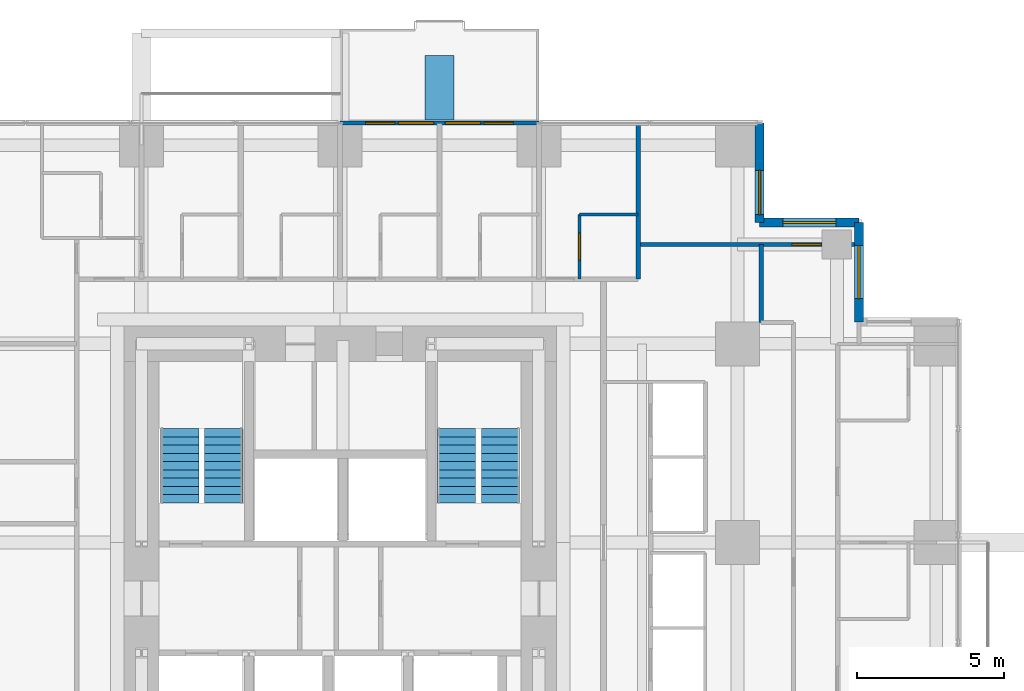
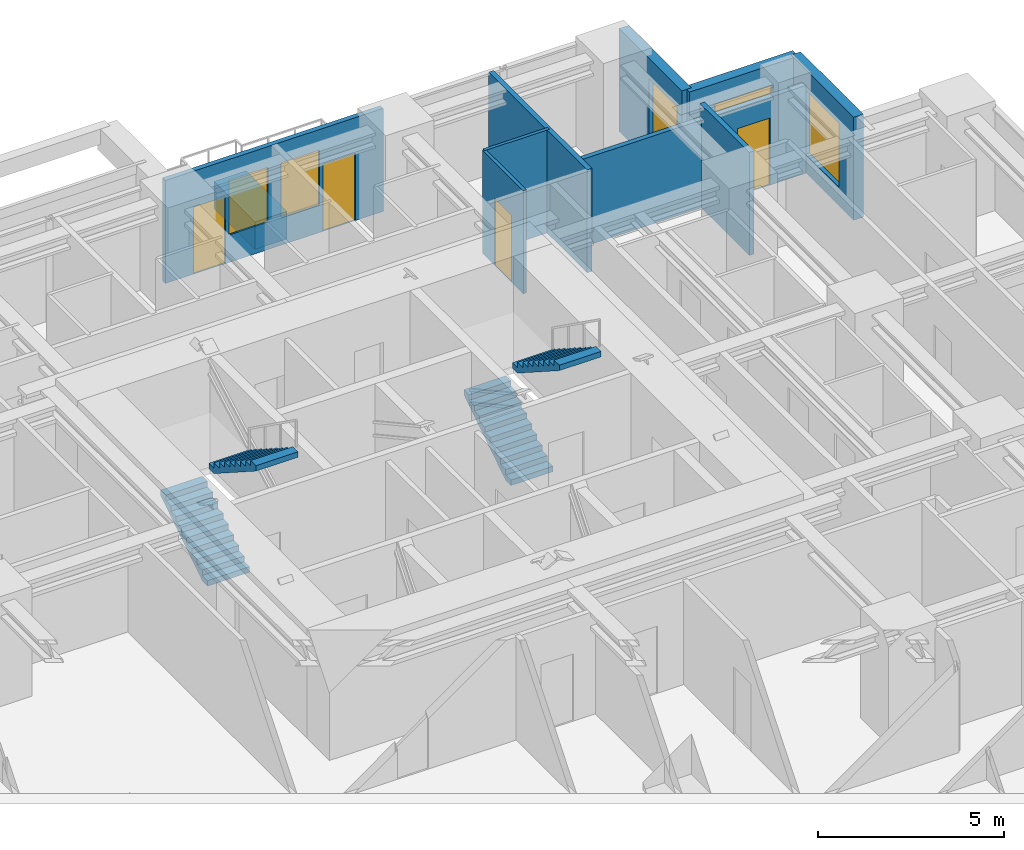
# One storey, part 11 of 12: 10 walls, 5 windows, 4 doors, 4 stair flights, 9 openings, 2 elements without a shape of their own.
"""IFC4 building model written with IfcOpenShell, lengths in metres."""

import ifcopenshell
import ifcopenshell.guid

model = None  # the IFC model being written
_history = None  # IfcOwnerHistory: only IFC2X3 demands one
_inside = {}  # id of a spatial element -> (the spatial element, [elements in it])
_under = {}  # id of a project, library or spatial element -> (it, [spatial elements below it])
_declared = {}  # id of a project -> (the project, [libraries it declares])
_typed = {}  # id of a type object -> (the type object, [elements of that type])
_made_of = {}  # id of a material, layer set ... -> (it, [elements and type objects made of it])


def new_model(schema):
    """Start an empty IFC model of exactly this schema.

    Asked for "IFC4X3", IfcOpenShell would pick the latest addendum, in which some entities
    have other attributes; the version numbers below select the first issue.
    IFC2X3 requires an IfcOwnerHistory on every rooted entity: one is made here for all.
    """
    global model, _history
    if schema == "IFC4X3":
        model = ifcopenshell.file(schema_version=(4, 3, 0, 0))
    else:
        model = ifcopenshell.file(schema=schema)
    _inside.clear()
    _under.clear()
    _declared.clear()
    _typed.clear()
    _made_of.clear()
    _history = None
    if model.schema == "IFC2X3":
        org = make("IfcOrganization", Name="unknown")
        user = make(
            "IfcPersonAndOrganization",
            ThePerson=make("IfcPerson", FamilyName="unknown"),
            TheOrganization=org,
        )
        app = make(
            "IfcApplication",
            ApplicationDeveloper=org,
            Version="unknown",
            ApplicationFullName="unknown",
            ApplicationIdentifier="unknown",
        )
        _history = make(
            "IfcOwnerHistory",
            OwningUser=user,
            OwningApplication=app,
            ChangeAction="ADDED",
            CreationDate=0,
        )
    return model


def make(cls, **values):
    """One entity of the class cls with the attributes given. An attribute that is None is left unset."""
    return model.create_entity(
        cls, **{name: value for name, value in values.items() if value is not None}
    )


def rooted(cls, **values):
    """An entity with a GlobalId (a new one), such as an element, a storey or a relation."""
    return make(cls, GlobalId=ifcopenshell.guid.new(), OwnerHistory=_history, **values)


def si_unit(unit_type, name, prefix=None):
    """IfcSIUnit, for example si_unit("LENGTHUNIT", "METRE", prefix="MILLI")."""
    return make("IfcSIUnit", UnitType=unit_type, Prefix=prefix, Name=name)


def assignment(units):
    """IfcUnitAssignment: the units of a project."""
    return None if units is None else make("IfcUnitAssignment", Units=units)


def point(xyz):
    """IfcCartesianPoint."""
    return None if xyz is None else make("IfcCartesianPoint", Coordinates=xyz)


def direction(xyz):
    """IfcDirection."""
    return None if xyz is None else make("IfcDirection", DirectionRatios=xyz)


def frame(location, z_axis=None, x_axis=None):
    """IfcAxis2Placement3D, a coordinate frame: its origin and axes. An axis left out is left unset."""
    return make(
        "IfcAxis2Placement3D",
        Location=point(location),
        Axis=direction(z_axis),
        RefDirection=direction(x_axis),
    )


def frame_2d(location, x_axis=None):
    """IfcAxis2Placement2D, a coordinate frame in the plane: its origin and x axis."""
    return make(
        "IfcAxis2Placement2D", Location=point(location), RefDirection=direction(x_axis)
    )


def origin():
    """The frame at (0, 0, 0) with its axes left unset."""
    return frame((0.0, 0.0, 0.0))


def place(relative_to, where):
    """IfcLocalPlacement: puts the frame where relative to a parent placement (None: the world)."""
    return make(
        "IfcLocalPlacement", PlacementRelTo=relative_to, RelativePlacement=where
    )


def context(
    kind, dimensions, precision=None, world=None, true_north=None, identifier=None
):
    """IfcGeometricRepresentationContext, for example the 3D "Model" context."""
    return make(
        "IfcGeometricRepresentationContext",
        ContextIdentifier=identifier,
        ContextType=kind,
        CoordinateSpaceDimension=dimensions,
        Precision=precision,
        WorldCoordinateSystem=world,
        TrueNorth=true_north,
    )


def subcontext(parent, identifier, kind, view, scale=None):
    """IfcGeometricRepresentationSubContext, for example "Body" below "Model"."""
    return make(
        "IfcGeometricRepresentationSubContext",
        ContextIdentifier=identifier,
        ContextType=kind,
        ParentContext=parent,
        TargetScale=scale,
        TargetView=view,
    )


def project(units=None, contexts=None):
    """IfcProject with its units and contexts."""
    return rooted(
        "IfcProject",
        Name="project",
        RepresentationContexts=contexts,
        UnitsInContext=assignment(units),
    )


def spatial(cls, under=None, at=None, **own):
    """A site, building, storey or space (cls), placed at a placement, below another one or the project."""
    s = rooted(cls, ObjectPlacement=at, **own)
    if under is not None:
        _under.setdefault(under.id(), (under, []))[1].append(s)
    return s


def polyline(points):
    """IfcPolyline through the points."""
    return make("IfcPolyline", Points=[point(p) for p in points])


def profile(cls, at=None, kind="AREA", **sizes):
    """A parametric profile (cls). Its sizes go by their IFC names, for example OverallWidth=200.0."""
    return make(cls, ProfileType=kind, Position=at, **sizes)


def rectangle(**sizes):
    """IfcRectangleProfileDef."""
    return profile("IfcRectangleProfileDef", **sizes)


def outline(outer, holes=None, kind="AREA"):
    """IfcArbitraryClosedProfileDef: a profile drawn as a closed curve; with holes, ...WithVoids."""
    if holes is None:
        return make("IfcArbitraryClosedProfileDef", ProfileType=kind, OuterCurve=outer)
    return make(
        "IfcArbitraryProfileDefWithVoids",
        ProfileType=kind,
        OuterCurve=outer,
        InnerCurves=holes,
    )


def extrude(swept, where, along, depth):
    """IfcExtrudedAreaSolid: the profile swept, set in the frame where, extruded along a direction by depth."""
    return make(
        "IfcExtrudedAreaSolid",
        SweptArea=swept,
        Position=where,
        ExtrudedDirection=direction(along),
        Depth=depth,
    )


def shape(context_of_items, identifier, shape_type, items):
    """IfcShapeRepresentation: the items that make up one representation, for example the "Body"."""
    return make(
        "IfcShapeRepresentation",
        ContextOfItems=context_of_items,
        RepresentationIdentifier=identifier,
        RepresentationType=shape_type,
        Items=items,
    )


def material(Name=None, Category=None):
    """IfcMaterial."""
    return make("IfcMaterial", Name=Name, Category=Category)


def layer(
    of_material, thickness, ventilated=None, Name=None, Category=None, Priority=None
):
    """IfcMaterialLayer: one layer of a wall or slab, of a material (None: an air gap)."""
    return make(
        "IfcMaterialLayer",
        Material=of_material,
        LayerThickness=thickness,
        IsVentilated=ventilated,
        Name=Name,
        Category=Category,
        Priority=Priority,
    )


def layer_set(layers, Name=None):
    """IfcMaterialLayerSet."""
    return make("IfcMaterialLayerSet", MaterialLayers=layers, LayerSetName=Name)


def made_of(thing, what):
    """Note that an element or type object is made of a material, layer set ...; save() writes the relation."""
    if what is not None:
        _made_of.setdefault(what.id(), (what, []))[1].append(thing)
    return thing


def type_object(cls, material=None, **own):
    """A type object (cls), such as IfcWallType, which elements share."""
    return made_of(rooted(cls, **own), material)


def element(
    cls,
    number,
    at=None,
    inside=None,
    cuts=None,
    type_object=None,
    material=None,
    context=None,
    identifier="Body",
    shape_type=None,
    held_by="IfcProductDefinitionShape",
    body=None,
    shapes=None,
    **own,
):
    """One element of the class cls, such as IfcWall. Its Tag is "e" and its number.

    at: its placement. inside: the storey or other place that contains it. cuts: it is an
    opening in that element (IfcRelVoidsElement). A single representation is given by context,
    identifier, shape_type and body (its items); several are given by shapes. held_by: the class
    of the entity that holds the representations. save() writes the other relations.
    """
    e = rooted(cls, Tag="e%d" % number, ObjectPlacement=at, **own)
    if body is not None:
        shapes = [shape(context, identifier, shape_type, body)]
    if shapes is not None:
        e.Representation = make(held_by, Representations=shapes)
    if inside is not None:
        _inside.setdefault(inside.id(), (inside, []))[1].append(e)
    if cuts is not None:
        rooted(
            "IfcRelVoidsElement", RelatingBuildingElement=cuts, RelatedOpeningElement=e
        )
    if type_object is not None:
        _typed.setdefault(type_object.id(), (type_object, []))[1].append(e)
    return made_of(e, material)


def fill(opening, filler):
    """IfcRelFillsElement: the door or window that sits in an opening."""
    return rooted(
        "IfcRelFillsElement",
        RelatingOpeningElement=opening,
        RelatedBuildingElement=filler,
    )


def aggregate(whole, parts):
    """IfcRelAggregates: a whole, such as a stair, and the parts it consists of."""
    return rooted("IfcRelAggregates", RelatingObject=whole, RelatedObjects=parts)


def save(model, path):
    """Write the relations noted so far, then the file.

    IfcRelAggregates (storeys below a building ...), IfcRelContainedInSpatialStructure (elements
    in a storey), IfcRelDefinesByType, IfcRelAssociatesMaterial and IfcRelDeclares: one each for
    every whole, place, type object, material and project.
    """
    for whole, parts in _under.values():
        aggregate(whole, parts)
    for where, things in _inside.values():
        rooted(
            "IfcRelContainedInSpatialStructure",
            RelatedElements=things,
            RelatingStructure=where,
        )
    for kind, things in _typed.values():
        rooted("IfcRelDefinesByType", RelatedObjects=things, RelatingType=kind)
    for what, things in _made_of.values():
        rooted("IfcRelAssociatesMaterial", RelatedObjects=things, RelatingMaterial=what)
    for by, libraries in _declared.values():
        rooted("IfcRelDeclares", RelatingContext=by, RelatedDefinitions=libraries)
    model.write(path)


model = new_model("IFC4")

# Units and contexts
model_context = context("Model", 3, precision=1e-05, world=origin(), true_north=direction((0.0, 1.0)))
body_context = subcontext(model_context, "Body", "Model", "MODEL_VIEW")
ifc_project = project(units=[si_unit("LENGTHUNIT", "METRE"), si_unit("AREAUNIT", "SQUARE_METRE"), si_unit("VOLUMEUNIT", "CUBIC_METRE"), si_unit("PLANEANGLEUNIT", "RADIAN"), si_unit("MASSUNIT", "GRAM", prefix="KILO")], contexts=[model_context])

# Site, building, storey
site_placement = place(None, origin())
site = spatial("IfcSite", under=ifc_project, at=site_placement, CompositionType="ELEMENT")
building_placement = place(site_placement, origin())
building = spatial("IfcBuilding", under=site, at=building_placement, Name="Nyansa Garden Tower", CompositionType="ELEMENT")
storey_placement = place(building_placement, frame((0.0, 0.0, 119.699951171875)))
storey = spatial("IfcBuildingStorey", under=building, at=storey_placement, Name="L32", CompositionType="ELEMENT", Elevation=119.699951171875)

# Wall, openings, doors, windows
ifc_material_1 = material(Name="Black aluminium framed glazed screen", Category="aluminium")
ifc_layer_1 = layer(ifc_material_1, 0.14990234375)
ifc_layer_set_1 = layer_set([ifc_layer_1], Name="Balcony screen wall BW150")
wall_type_1 = type_object("IfcWallType", Name="Balcony screen wall BW150", PredefinedType="SOLIDWALL", material=ifc_layer_set_1)
wall_1_placement = place(storey_placement, frame((20.25, 34.5, 0.0), z_axis=(0.0, 0.0, 1.0), x_axis=(1.0, 0.0, 0.0)))
wall_1 = element("IfcWall", 1, at=wall_1_placement, inside=storey, type_object=wall_type_1, Name="Glazed screen wall L32 N", PredefinedType="SOLIDWALL", context=body_context, shape_type="SweptSolid", body=[
    extrude(rectangle(XDim=6.75, YDim=0.14990234375, at=frame_2d((3.375, 0.0))), origin(), (0.0, 0.0, 1.0), 3.375),
])
opening_1_placement = place(wall_1_placement, frame((0.862548828125, 0.0, 0.0)))
opening_1 = element("IfcOpeningElement", 2, at=opening_1_placement, cuts=wall_1, Name="Opening D20", PredefinedType="OPENING", context=body_context, shape_type="SweptSolid", body=[
    extrude(rectangle(XDim=1.0, YDim=2.199951171875, at=frame_2d((0.5, 1.10009765625))), frame((0.0, 0.0849609375, 0.0), z_axis=(0.0, -1.0, 0.0), x_axis=(1.0, 0.0, 0.0)), (0.0, 0.0, 1.0), 0.169921875),
])
opening_2_placement = place(wall_1_placement, frame((1.97509765625, 0.0, 0.89990234375)))
opening_2 = element("IfcOpeningElement", 3, at=opening_2_placement, cuts=wall_1, Name="Opening W6", PredefinedType="OPENING", context=body_context, shape_type="SweptSolid", body=[
    extrude(rectangle(XDim=1.199951171875, YDim=1.800048828125, at=frame_2d((0.60009765625, 0.89990234375))), frame((0.0, 0.0849609375, 0.0), z_axis=(0.0, -1.0, 0.0), x_axis=(1.0, 0.0, 0.0)), (0.0, 0.0, 1.0), 0.169921875),
])
opening_3_placement = place(wall_1_placement, frame((4.887451171875, 0.0, 0.0)))
opening_3 = element("IfcOpeningElement", 4, at=opening_3_placement, cuts=wall_1, Name="Opening D20", PredefinedType="OPENING", context=body_context, shape_type="SweptSolid", body=[
    extrude(rectangle(XDim=1.0, YDim=2.199951171875, at=frame_2d((0.5, 1.10009765625))), frame((0.0, 0.0849609375, 0.0), z_axis=(0.0, -1.0, 0.0), x_axis=(1.0, 0.0, 0.0)), (0.0, 0.0, 1.0), 0.169921875),
])
opening_4_placement = place(wall_1_placement, frame((3.574951171875, 0.0, 0.89990234375)))
opening_4 = element("IfcOpeningElement", 5, at=opening_4_placement, cuts=wall_1, Name="Opening W6", PredefinedType="OPENING", context=body_context, shape_type="SweptSolid", body=[
    extrude(rectangle(XDim=1.199951171875, YDim=1.800048828125, at=frame_2d((0.60009765625, 0.89990234375))), frame((0.0, 0.0849609375, 0.0), z_axis=(0.0, -1.0, 0.0), x_axis=(1.0, 0.0, 0.0)), (0.0, 0.0, 1.0), 0.169921875),
])
ifc_material_2 = material(Name="Black aluminium framed glazed door", Category="aluminium")
door_type_1 = type_object("IfcDoorType", Name="Balcony door D20 1000x2200", OperationType="NOTDEFINED", PredefinedType="DOOR", material=ifc_material_2)
door_1_placement = place(opening_1_placement, origin())
door_1 = element("IfcDoor", 6, at=door_1_placement, inside=storey, type_object=door_type_1, Name="Balcony door L32", OperationType="SINGLE_SWING_LEFT", OverallHeight=2.199951171875, OverallWidth=1.0, PredefinedType="DOOR", context=body_context, shape_type="SweptSolid", body=[
    extrude(rectangle(XDim=1.0, YDim=2.199951171875, at=frame_2d((0.5, 1.10009765625))), frame((0.0, 0.02490234375, 0.0), z_axis=(0.0, -1.0, 0.0), x_axis=(1.0, 0.0, 0.0)), (0.0, 0.0, 1.0), 0.050048828125),
])
fill(opening_1, door_1)
door_2_placement = place(opening_3_placement, origin())
door_2 = element("IfcDoor", 7, at=door_2_placement, inside=storey, type_object=door_type_1, Name="Balcony door L32", OperationType="SINGLE_SWING_RIGHT", OverallHeight=2.199951171875, OverallWidth=1.0, PredefinedType="DOOR", context=body_context, shape_type="SweptSolid", body=[
    extrude(rectangle(XDim=1.0, YDim=2.199951171875, at=frame_2d((0.5, 1.10009765625))), frame((0.0, 0.02490234375, 0.0), z_axis=(0.0, -1.0, 0.0), x_axis=(1.0, 0.0, 0.0)), (0.0, 0.0, 1.0), 0.050048828125),
])
fill(opening_3, door_2)
ifc_material_3 = material(Name="Black aluminium frame, dark tinted double glazing", Category="aluminium")
window_type_1 = type_object("IfcWindowType", Name="Balcony window W6 1200x1800", PartitioningType="SINGLE_PANEL", PredefinedType="WINDOW", material=ifc_material_3)
window_1_placement = place(opening_2_placement, origin())
window_1 = element("IfcWindow", 8, at=window_1_placement, inside=storey, type_object=window_type_1, Name="Window L32", OverallHeight=1.800048828125, OverallWidth=1.199951171875, PartitioningType="SINGLE_PANEL", PredefinedType="WINDOW", context=body_context, shape_type="SweptSolid", body=[
    extrude(rectangle(XDim=1.199951171875, YDim=1.800048828125, at=frame_2d((0.60009765625, 0.89990234375))), frame((0.0, 0.030029296875, 0.0), z_axis=(0.0, -1.0, 0.0), x_axis=(1.0, 0.0, 0.0)), (0.0, 0.0, 1.0), 0.06005859375),
])
fill(opening_2, window_1)
window_2_placement = place(opening_4_placement, origin())
window_2 = element("IfcWindow", 9, at=window_2_placement, inside=storey, type_object=window_type_1, Name="Window L32", OverallHeight=1.800048828125, OverallWidth=1.199951171875, PartitioningType="SINGLE_PANEL", PredefinedType="WINDOW", context=body_context, shape_type="SweptSolid", body=[
    extrude(rectangle(XDim=1.199951171875, YDim=1.800048828125, at=frame_2d((0.60009765625, 0.89990234375))), frame((0.0, 0.030029296875, 0.0), z_axis=(0.0, -1.0, 0.0), x_axis=(1.0, 0.0, 0.0)), (0.0, 0.0, 1.0), 0.06005859375),
])
fill(opening_4, window_2)

# Wall
ifc_material_4 = material(Name="Blockwork, plastered both sides", Category="masonry")
ifc_layer_2 = layer(ifc_material_4, 0.14990234375)
ifc_layer_set_2 = layer_set([ifc_layer_2], Name="Partition PW150")
wall_type_2 = type_object("IfcWallType", Name="Partition PW150", PredefinedType="PARTITIONING", material=ifc_layer_set_2)
wall_2_placement = place(storey_placement, frame((30.375, 29.199951171875, 0.0), z_axis=(0.0, 0.0, 1.0), x_axis=(0.0, 1.0, 0.0)))
element("IfcWall", 10, at=wall_2_placement, inside=storey, type_object=wall_type_2, Name="Partition", PredefinedType="PARTITIONING", context=body_context, shape_type="SweptSolid", body=[
    extrude(rectangle(XDim=5.283935546875, YDim=0.14990234375, at=frame_2d((2.64208984375, 0.0))), origin(), (0.0, 0.0, 1.0), 3.375),
])

# Wall, opening, door
wall_3_placement = place(storey_placement, frame((30.375, 30.375, 0.0), z_axis=(0.0, 0.0, 1.0), x_axis=(1.0, 0.0, 0.0)))
wall_3 = element("IfcWall", 11, at=wall_3_placement, inside=storey, type_object=wall_type_2, Name="Partition", PredefinedType="PARTITIONING", context=body_context, shape_type="SweptSolid", body=[
    extrude(rectangle(XDim=7.35009765625, YDim=0.14990234375, at=frame_2d((3.675048828125, 0.0))), origin(), (0.0, 0.0, 1.0), 2.876953125),
])
opening_5_placement = place(wall_3_placement, frame((5.22509765625, 0.0, 0.0)))
opening_5 = element("IfcOpeningElement", 12, at=opening_5_placement, cuts=wall_3, Name="Opening D03", PredefinedType="OPENING", context=body_context, shape_type="SweptSolid", body=[
    extrude(rectangle(XDim=1.0, YDim=2.199951171875, at=frame_2d((0.5, 1.10009765625))), frame((0.0, 0.0849609375, 0.0), z_axis=(0.0, -1.0, 0.0), x_axis=(1.0, 0.0, 0.0)), (0.0, 0.0, 1.0), 0.169921875),
])
ifc_material_5 = material(Name="Timber flush door, 60 minute fire resisting", Category="wood")
door_type_2 = type_object("IfcDoorType", Name="Cluster entrance door D03 1000x2200", OperationType="SINGLE_SWING_LEFT", PredefinedType="DOOR", material=ifc_material_5)
door_3_placement = place(opening_5_placement, origin())
door_3 = element("IfcDoor", 13, at=door_3_placement, inside=storey, type_object=door_type_2, Name="Door L32-040", OperationType="SINGLE_SWING_LEFT", OverallHeight=2.199951171875, OverallWidth=1.0, PredefinedType="DOOR", context=body_context, shape_type="SweptSolid", body=[
    extrude(rectangle(XDim=1.0, YDim=2.199951171875, at=frame_2d((0.5, 1.10009765625))), frame((0.0, 0.02490234375, 0.0), z_axis=(0.0, -1.0, 0.0), x_axis=(1.0, 0.0, 0.0)), (0.0, 0.0, 1.0), 0.050048828125),
])
fill(opening_5, door_3)

# Wall
wall_4_placement = place(storey_placement, frame((34.550048828125, 27.72509765625, 0.0), z_axis=(0.0, 0.0, 1.0), x_axis=(0.0, 1.0, 0.0)))
element("IfcWall", 14, at=wall_4_placement, inside=storey, type_object=wall_type_2, Name="Partition", PredefinedType="PARTITIONING", context=body_context, shape_type="SweptSolid", body=[
    extrude(rectangle(XDim=2.64990234375, YDim=0.14990234375, at=frame_2d((1.324951171875, 0.0))), origin(), (0.0, 0.0, 1.0), 3.375),
])

# Wall, opening, window
ifc_material_6 = material(Name="Turquoise glazed tile on concrete blockwork", Category="masonry")
ifc_layer_3 = layer(ifc_material_6, 0.300048828125)
ifc_layer_set_3 = layer_set([ifc_layer_3], Name="Tiled corner wall TW300")
wall_type_3 = type_object("IfcWallType", Name="Tiled corner wall TW300", PredefinedType="SOLIDWALL", material=ifc_layer_set_3)
wall_5_placement = place(storey_placement, frame((37.875, 27.75, 0.0), z_axis=(0.0, 0.0, 1.0), x_axis=(0.0, 1.0, 0.0)))
wall_5 = element("IfcWall", 15, at=wall_5_placement, inside=storey, type_object=wall_type_3, Name="Tiled corner wall L32", PredefinedType="SOLIDWALL", context=body_context, shape_type="SweptSolid", body=[
    extrude(rectangle(XDim=3.375, YDim=0.300048828125, at=frame_2d((1.6875, 0.0))), origin(), (0.0, 0.0, 1.0), 3.375),
])
opening_6_placement = place(wall_5_placement, frame((0.78759765625, 0.0, 0.60009765625)))
opening_6 = element("IfcOpeningElement", 16, at=opening_6_placement, cuts=wall_5, Name="Opening W2", PredefinedType="OPENING", context=body_context, shape_type="SweptSolid", body=[
    extrude(rectangle(XDim=1.800048828125, YDim=2.10009765625, at=frame_2d((0.89990234375, 1.050048828125))), frame((0.0, 0.159912109375, 0.0), z_axis=(0.0, -1.0, 0.0), x_axis=(1.0, 0.0, 0.0)), (0.0, 0.0, 1.0), 0.320068359375),
])
ifc_material_7 = material(Name="Black aluminium frame, dark tinted double glazing", Category="aluminium")
window_type_2 = type_object("IfcWindowType", Name="Window W2 1800x2100", PartitioningType="SINGLE_PANEL", PredefinedType="WINDOW", material=ifc_material_7)
window_3_placement = place(opening_6_placement, origin())
window_3 = element("IfcWindow", 17, at=window_3_placement, inside=storey, type_object=window_type_2, Name="Corner window L32", OverallHeight=2.10009765625, OverallWidth=1.800048828125, PartitioningType="SINGLE_PANEL", PredefinedType="WINDOW", context=body_context, shape_type="SweptSolid", body=[
    extrude(rectangle(XDim=1.800048828125, YDim=2.10009765625, at=frame_2d((0.89990234375, 1.050048828125))), frame((0.0, 0.030029296875, 0.0), z_axis=(0.0, -1.0, 0.0), x_axis=(1.0, 0.0, 0.0)), (0.0, 0.0, 1.0), 0.06005859375),
])
fill(opening_6, window_3)

wall_6_placement = place(storey_placement, frame((37.875, 31.125, 0.0), z_axis=(0.0, 0.0, 1.0), x_axis=(-1.0, 0.0, 0.0)))
wall_6 = element("IfcWall", 18, at=wall_6_placement, inside=storey, type_object=wall_type_3, Name="Tiled corner wall L32", PredefinedType="SOLIDWALL", context=body_context, shape_type="SweptSolid", body=[
    extrude(rectangle(XDim=3.375, YDim=0.300048828125, at=frame_2d((1.6875, 0.0))), origin(), (0.0, 0.0, 1.0), 3.375),
])
opening_7_placement = place(wall_6_placement, frame((0.78759765625, 0.0, 0.60009765625)))
opening_7 = element("IfcOpeningElement", 19, at=opening_7_placement, cuts=wall_6, Name="Opening W2", PredefinedType="OPENING", context=body_context, shape_type="SweptSolid", body=[
    extrude(rectangle(XDim=1.800048828125, YDim=2.10009765625, at=frame_2d((0.89990234375, 1.050048828125))), frame((0.0, 0.159912109375, 0.0), z_axis=(0.0, -1.0, 0.0), x_axis=(1.0, 0.0, 0.0)), (0.0, 0.0, 1.0), 0.320068359375),
])
window_4_placement = place(opening_7_placement, origin())
window_4 = element("IfcWindow", 20, at=window_4_placement, inside=storey, type_object=window_type_2, Name="Corner window L32", OverallHeight=2.10009765625, OverallWidth=1.800048828125, PartitioningType="SINGLE_PANEL", PredefinedType="WINDOW", context=body_context, shape_type="SweptSolid", body=[
    extrude(rectangle(XDim=1.800048828125, YDim=2.10009765625, at=frame_2d((0.89990234375, 1.050048828125))), frame((0.0, 0.030029296875, 0.0), z_axis=(0.0, -1.0, 0.0), x_axis=(1.0, 0.0, 0.0)), (0.0, 0.0, 1.0), 0.06005859375),
])
fill(opening_7, window_4)

wall_7_placement = place(storey_placement, frame((34.5, 31.125, 0.0), z_axis=(0.0, 0.0, 1.0), x_axis=(0.0, 1.0, 0.0)))
wall_7 = element("IfcWall", 21, at=wall_7_placement, inside=storey, type_object=wall_type_3, Name="Tiled corner wall L32", PredefinedType="SOLIDWALL", context=body_context, shape_type="SweptSolid", body=[
    extrude(rectangle(XDim=3.375, YDim=0.300048828125, at=frame_2d((1.6875, 0.0))), origin(), (0.0, 0.0, 1.0), 3.375),
])
opening_8_placement = place(wall_7_placement, frame((0.267578125, 0.0, 0.89990234375)))
opening_8 = element("IfcOpeningElement", 22, at=opening_8_placement, cuts=wall_7, Name="Opening W1", PredefinedType="OPENING", context=body_context, shape_type="SweptSolid", body=[
    extrude(rectangle(XDim=1.5, YDim=1.800048828125, at=frame_2d((0.75, 0.89990234375))), frame((0.0, 0.159912109375, 0.0), z_axis=(0.0, -1.0, 0.0), x_axis=(1.0, 0.0, 0.0)), (0.0, 0.0, 1.0), 0.320068359375),
])
ifc_material_8 = material(Name="Black aluminium frame, dark tinted double glazing", Category="aluminium")
window_type_3 = type_object("IfcWindowType", Name="Window W1 1500x1800", PartitioningType="SINGLE_PANEL", PredefinedType="WINDOW", material=ifc_material_8)
window_5_placement = place(opening_8_placement, origin())
window_5 = element("IfcWindow", 23, at=window_5_placement, inside=storey, type_object=window_type_3, Name="Corner window L32", OverallHeight=1.800048828125, OverallWidth=1.5, PartitioningType="SINGLE_PANEL", PredefinedType="WINDOW", context=body_context, shape_type="SweptSolid", body=[
    extrude(rectangle(XDim=1.5, YDim=1.800048828125, at=frame_2d((0.75, 0.89990234375))), frame((0.0, 0.030029296875, 0.0), z_axis=(0.0, -1.0, 0.0), x_axis=(1.0, 0.0, 0.0)), (0.0, 0.0, 1.0), 0.06005859375),
])
fill(opening_8, window_5)

# Wall
ifc_material_9 = material(Name="Concrete C40/50 planter, waterproofed", Category="concrete")
ifc_layer_4 = layer(ifc_material_9, 1.0)
ifc_layer_set_4 = layer_set([ifc_layer_4], Name="Tree planter TP1")
wall_type_4 = type_object("IfcWallType", Name="Tree planter TP1", PredefinedType="USERDEFINED", material=ifc_layer_set_4)
wall_8_placement = place(storey_placement, frame((23.625, 34.60009765625, 0.0), z_axis=(0.0, 0.0, 1.0), x_axis=(0.0, 1.0, 0.0)))
element("IfcWall", 24, at=wall_8_placement, inside=storey, type_object=wall_type_4, Name="Tree planter L32", ObjectType="TREE PLANTER", PredefinedType="USERDEFINED", context=body_context, shape_type="SweptSolid", body=[
    extrude(rectangle(XDim=2.199951171875, YDim=1.0, at=frame_2d((1.10009765625, 0.0))), origin(), (0.0, 0.0, 1.0), 0.900146484375),
])

# Wall, opening, door
ifc_material_10 = material(Name="Moisture resistant board on steel studs, tiled", Category="steel")
ifc_layer_5 = layer(ifc_material_10, 0.10009765625)
ifc_layer_set_5 = layer_set([ifc_layer_5], Name="Wet wall PW100")
wall_type_5 = type_object("IfcWallType", Name="Wet wall PW100", PredefinedType="PARTITIONING", material=ifc_layer_set_5)
wall_9_placement = place(storey_placement, frame((28.375, 29.199951171875, 0.0), z_axis=(0.0, 0.0, 1.0), x_axis=(0.0, 1.0, 0.0)))
wall_9 = element("IfcWall", 25, at=wall_9_placement, inside=storey, type_object=wall_type_5, Name="Wet wall", PredefinedType="PARTITIONING", context=body_context, shape_type="SweptSolid", body=[
    extrude(rectangle(XDim=2.199951171875, YDim=0.10009765625, at=frame_2d((1.10009765625, 0.0))), origin(), (0.0, 0.0, 1.0), 3.375),
])
opening_9_placement = place(wall_9_placement, frame((0.64990234375, 0.0, 0.0)))
opening_9 = element("IfcOpeningElement", 26, at=opening_9_placement, cuts=wall_9, Name="Opening D02", PredefinedType="OPENING", context=body_context, shape_type="SweptSolid", body=[
    extrude(rectangle(XDim=0.89990234375, YDim=2.199951171875, at=frame_2d((0.449951171875, 1.10009765625))), frame((0.0, 0.06005859375, 0.0), z_axis=(0.0, -1.0, 0.0), x_axis=(1.0, 0.0, 0.0)), (0.0, 0.0, 1.0), 0.1201171875),
])
ifc_material_11 = material(Name="Timber flush door", Category="wood")
door_type_3 = type_object("IfcDoorType", Name="En-suite door D02 900x2200", OperationType="SINGLE_SWING_RIGHT", PredefinedType="DOOR", material=ifc_material_11)
door_4_placement = place(opening_9_placement, origin())
door_4 = element("IfcDoor", 27, at=door_4_placement, inside=storey, type_object=door_type_3, Name="Door L32-052", OperationType="SINGLE_SWING_RIGHT", OverallHeight=2.199951171875, OverallWidth=0.89990234375, PredefinedType="DOOR", context=body_context, shape_type="SweptSolid", body=[
    extrude(rectangle(XDim=0.89990234375, YDim=2.199951171875, at=frame_2d((0.449951171875, 1.10009765625))), frame((0.0, 0.02490234375, 0.0), z_axis=(0.0, -1.0, 0.0), x_axis=(1.0, 0.0, 0.0)), (0.0, 0.0, 1.0), 0.050048828125),
])
fill(opening_9, door_4)

# Wall
wall_10_placement = place(storey_placement, frame((28.375, 31.39990234375, 0.0), z_axis=(0.0, 0.0, 1.0), x_axis=(1.0, 0.0, 0.0)))
element("IfcWall", 28, at=wall_10_placement, inside=storey, type_object=wall_type_5, Name="Wet wall", PredefinedType="PARTITIONING", context=body_context, shape_type="SweptSolid", body=[
    extrude(rectangle(XDim=2.0, YDim=0.10009765625, at=frame_2d((1.0, 0.0))), origin(), (0.0, 0.0, 1.0), 3.375),
])

# Stair, stair flights
ifc_material_12 = material(Name="Precast concrete C40/50", Category="concrete")
stair_type_1 = type_object("IfcStairType", Name="Stair S1 180x280", PredefinedType="HALF_TURN_STAIR", material=ifc_material_12)
stair_1_placement = place(storey_placement, origin())
stair_1 = element("IfcStair", 29, at=stair_1_placement, inside=storey, type_object=stair_type_1, Name="Stair S1 L32", PredefinedType="HALF_TURN_STAIR")
ifc_material_13 = material(Name="Precast concrete C40/50", Category="concrete")
stair_flight_type_1 = type_object("IfcStairFlightType", Name="Stair flight S1 180x280x10", PredefinedType="STRAIGHT", material=ifc_material_13)
stair_flight_1_placement = place(storey_placement, frame((14.800048828125, 21.60009765625, 0.0), z_axis=(0.0, 0.0, 1.0), x_axis=(0.0, 1.0, 0.0)))
stair_flight_1 = element("IfcStairFlight", 30, at=stair_flight_1_placement, type_object=stair_flight_type_1, Name="S1 flight 1", NumberOfRisers=10, NumberOfTreads=9, PredefinedType="STRAIGHT", RiserHeight=0.18, TreadLength=0.28, context=body_context, shape_type="SweptSolid", body=[
    extrude(outline(polyline([(0.0, 0.0), (0.0, 0.179931640625), (0.280029296875, 0.179931640625), (0.280029296875, 0.360107421875), (0.56005859375, 0.360107421875), (0.56005859375, 0.5400390625), (0.840087890625, 0.5400390625), (0.840087890625, 0.719970703125), (1.1201171875, 0.719970703125), (1.1201171875, 0.89990234375), (1.39990234375, 0.89990234375), (1.39990234375, 1.080078125), (1.679931640625, 1.080078125), (1.679931640625, 1.260009765625), (1.9599609375, 1.260009765625), (1.9599609375, 1.43994140625), (2.239990234375, 1.43994140625), (2.239990234375, 1.6201171875), (2.52001953125, 1.6201171875), (2.52001953125, 1.800048828125), (2.52001953125, 1.44189453125), (0.277099609375, 0.0), (0.0, 0.0)])), frame((0.0, 0.64990234375, 0.0), z_axis=(0.0, -1.0, 0.0), x_axis=(1.0, 0.0, 0.0)), (0.0, 0.0, 1.0), 1.300048828125),
])
stair_flight_2_placement = place(storey_placement, frame((16.300048828125, 24.1201171875, 1.800048828125), z_axis=(0.0, 0.0, 1.0), x_axis=(0.0, -1.0, 0.0)))
stair_flight_2 = element("IfcStairFlight", 31, at=stair_flight_2_placement, type_object=stair_flight_type_1, Name="S1 flight 2", NumberOfRisers=10, NumberOfTreads=9, PredefinedType="STRAIGHT", RiserHeight=0.18, TreadLength=0.28, context=body_context, shape_type="SweptSolid", body=[
    extrude(outline(polyline([(0.0, 0.0), (0.0, 0.179931640625), (0.280029296875, 0.179931640625), (0.280029296875, 0.360107421875), (0.56005859375, 0.360107421875), (0.56005859375, 0.5400390625), (0.840087890625, 0.5400390625), (0.840087890625, 0.719970703125), (1.1201171875, 0.719970703125), (1.1201171875, 0.89990234375), (1.39990234375, 0.89990234375), (1.39990234375, 1.080078125), (1.679931640625, 1.080078125), (1.679931640625, 1.260009765625), (1.9599609375, 1.260009765625), (1.9599609375, 1.43994140625), (2.239990234375, 1.43994140625), (2.239990234375, 1.6201171875), (2.52001953125, 1.6201171875), (2.52001953125, 1.800048828125), (2.52001953125, 1.44189453125), (0.277099609375, 0.0), (0.0, 0.0)])), frame((0.0, 0.64990234375, 0.0), z_axis=(0.0, -1.0, 0.0), x_axis=(1.0, 0.0, 0.0)), (0.0, 0.0, 1.0), 1.300048828125),
])
aggregate(stair_1, [stair_flight_1, stair_flight_2])

ifc_material_14 = material(Name="Precast concrete C40/50", Category="concrete")
stair_type_2 = type_object("IfcStairType", Name="Stair S2 180x280", PredefinedType="HALF_TURN_STAIR", material=ifc_material_14)
stair_2_placement = place(storey_placement, origin())
stair_2 = element("IfcStair", 32, at=stair_2_placement, inside=storey, type_object=stair_type_2, Name="Stair S2 L32", PredefinedType="HALF_TURN_STAIR")
ifc_material_15 = material(Name="Precast concrete C40/50", Category="concrete")
stair_flight_type_2 = type_object("IfcStairFlightType", Name="Stair flight S2 180x280x10", PredefinedType="STRAIGHT", material=ifc_material_15)
stair_flight_3_placement = place(storey_placement, frame((24.199951171875, 21.60009765625, 0.0), z_axis=(0.0, 0.0, 1.0), x_axis=(0.0, 1.0, 0.0)))
stair_flight_3 = element("IfcStairFlight", 33, at=stair_flight_3_placement, type_object=stair_flight_type_2, Name="S2 flight 1", NumberOfRisers=10, NumberOfTreads=9, PredefinedType="STRAIGHT", RiserHeight=0.18, TreadLength=0.28, context=body_context, shape_type="SweptSolid", body=[
    extrude(outline(polyline([(0.0, 0.0), (0.0, 0.179931640625), (0.280029296875, 0.179931640625), (0.280029296875, 0.360107421875), (0.56005859375, 0.360107421875), (0.56005859375, 0.5400390625), (0.840087890625, 0.5400390625), (0.840087890625, 0.719970703125), (1.1201171875, 0.719970703125), (1.1201171875, 0.89990234375), (1.39990234375, 0.89990234375), (1.39990234375, 1.080078125), (1.679931640625, 1.080078125), (1.679931640625, 1.260009765625), (1.9599609375, 1.260009765625), (1.9599609375, 1.43994140625), (2.239990234375, 1.43994140625), (2.239990234375, 1.6201171875), (2.52001953125, 1.6201171875), (2.52001953125, 1.800048828125), (2.52001953125, 1.44189453125), (0.277099609375, 0.0), (0.0, 0.0)])), frame((0.0, 0.64990234375, 0.0), z_axis=(0.0, -1.0, 0.0), x_axis=(1.0, 0.0, 0.0)), (0.0, 0.0, 1.0), 1.300048828125),
])
stair_flight_4_placement = place(storey_placement, frame((25.699951171875, 24.1201171875, 1.800048828125), z_axis=(0.0, 0.0, 1.0), x_axis=(0.0, -1.0, 0.0)))
stair_flight_4 = element("IfcStairFlight", 34, at=stair_flight_4_placement, type_object=stair_flight_type_2, Name="S2 flight 2", NumberOfRisers=10, NumberOfTreads=9, PredefinedType="STRAIGHT", RiserHeight=0.18, TreadLength=0.28, context=body_context, shape_type="SweptSolid", body=[
    extrude(outline(polyline([(0.0, 0.0), (0.0, 0.179931640625), (0.280029296875, 0.179931640625), (0.280029296875, 0.360107421875), (0.56005859375, 0.360107421875), (0.56005859375, 0.5400390625), (0.840087890625, 0.5400390625), (0.840087890625, 0.719970703125), (1.1201171875, 0.719970703125), (1.1201171875, 0.89990234375), (1.39990234375, 0.89990234375), (1.39990234375, 1.080078125), (1.679931640625, 1.080078125), (1.679931640625, 1.260009765625), (1.9599609375, 1.260009765625), (1.9599609375, 1.43994140625), (2.239990234375, 1.43994140625), (2.239990234375, 1.6201171875), (2.52001953125, 1.6201171875), (2.52001953125, 1.800048828125), (2.52001953125, 1.44189453125), (0.277099609375, 0.0), (0.0, 0.0)])), frame((0.0, 0.64990234375, 0.0), z_axis=(0.0, -1.0, 0.0), x_axis=(1.0, 0.0, 0.0)), (0.0, 0.0, 1.0), 1.300048828125),
])
aggregate(stair_2, [stair_flight_3, stair_flight_4])

save(model, "model.ifc")
